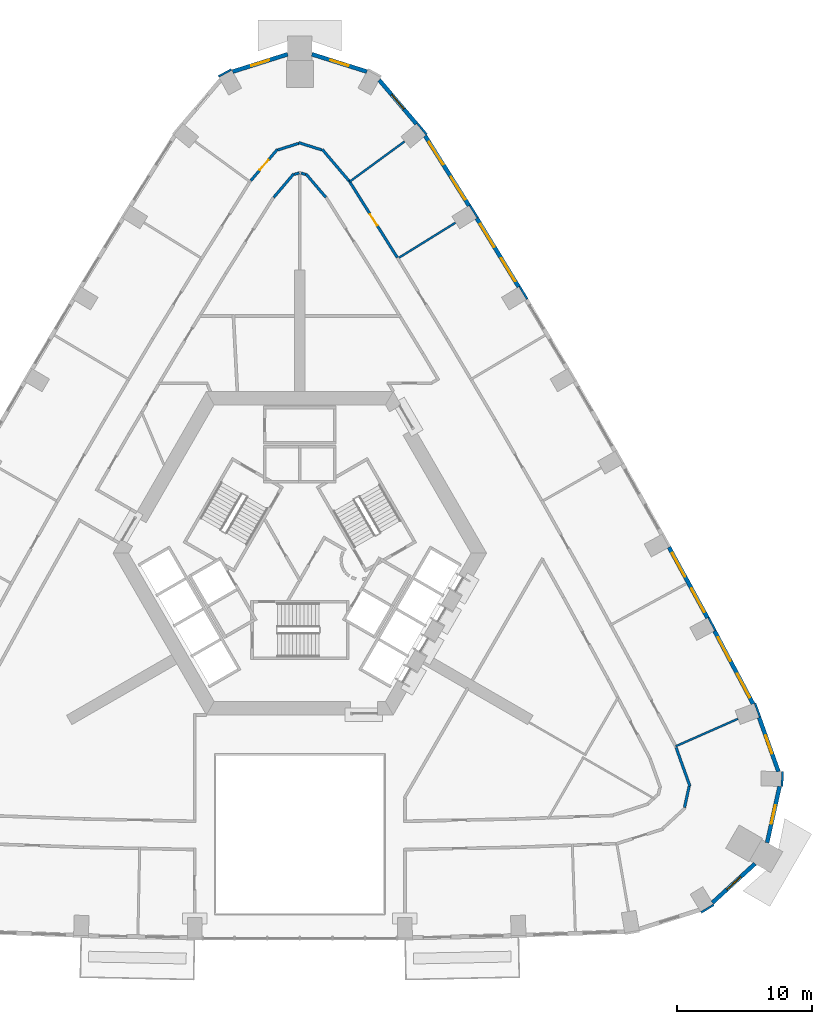
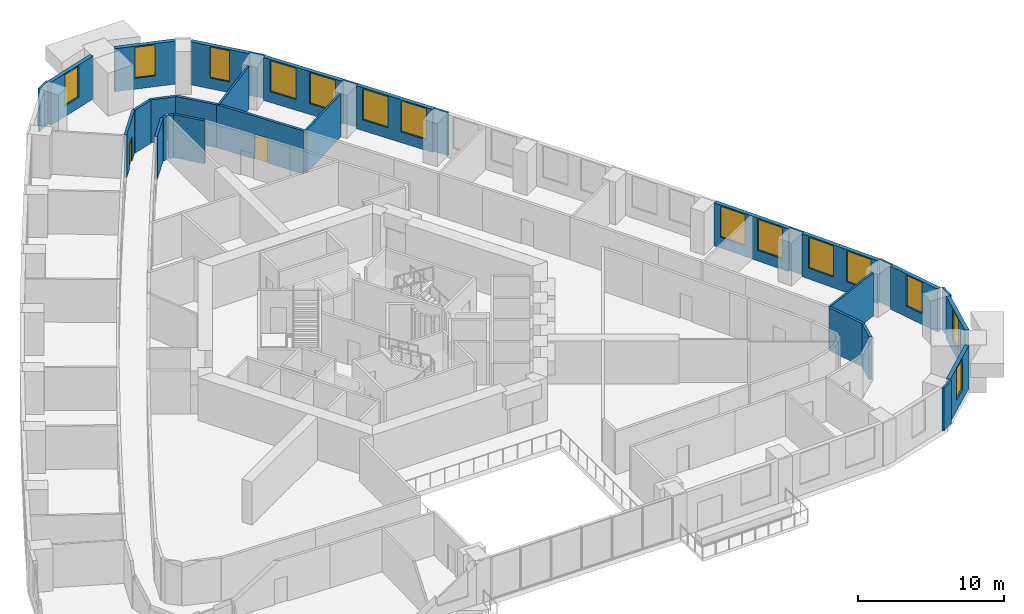
# One storey, part 10 of 14: 32 walls, 14 windows, 2 doors, 16 openings.
"""IFC4 building model written with IfcOpenShell, lengths in metres."""

from ifc_helpers import new_model, si_unit, direction, frame, frame_2d, origin, place, context, subcontext, project, spatial, rectangle, extrude, material, layer, layer_set, type_object, element, fill, save


model = new_model("IFC4")

# Units and contexts
model_context = context("Model", 3, precision=1e-05, world=origin(), true_north=direction((0.0, 1.0)))
body_context = subcontext(model_context, "Body", "Model", "MODEL_VIEW")
ifc_project = project(units=[si_unit("LENGTHUNIT", "METRE"), si_unit("AREAUNIT", "SQUARE_METRE"), si_unit("VOLUMEUNIT", "CUBIC_METRE"), si_unit("PLANEANGLEUNIT", "RADIAN"), si_unit("MASSUNIT", "GRAM", prefix="KILO")], contexts=[model_context])

# Site, building, storey
site_placement = place(None, origin())
site = spatial("IfcSite", under=ifc_project, at=site_placement, CompositionType="ELEMENT")
building_placement = place(site_placement, origin())
building = spatial("IfcBuilding", under=site, at=building_placement, Name="Entoto Arch Interchange Tower", CompositionType="ELEMENT")
storey_placement = place(building_placement, frame((0.0, 0.0, 180.199951171875)))
storey = spatial("IfcBuildingStorey", under=building, at=storey_placement, Name="L40", CompositionType="ELEMENT", Elevation=180.199951171875)

# Walls
ifc_material_1 = material(Name="Gypsum board partition on steel studs", Category="steel")
ifc_layer_1 = layer(ifc_material_1, 0.14990234375)
ifc_layer_set_1 = layer_set([ifc_layer_1], Name="Gypsum board partition on steel studs")
wall_type_1 = type_object("IfcWallType", Name="PARTITION 150", PredefinedType="PARTITIONING", material=ifc_layer_set_1)
wall_1_placement = place(storey_placement, frame((27.8798828125, -11.824951171875, 0.0), z_axis=(0.0, 0.0, 1.0), x_axis=(0.915110098234, 0.403204052696, 0.0)))
element("IfcWall", 1, at=wall_1_placement, inside=storey, type_object=wall_type_1, Name="wall:L40:p114", PredefinedType="PARTITIONING", context=body_context, shape_type="SweptSolid", body=[
    extrude(rectangle(XDim=5.04443359375, YDim=0.14990234375, at=frame_2d((2.522216796875, 0.0))), origin(), (0.0, 0.0, 1.0), 3.60009765625),
])
wall_2_placement = place(storey_placement, frame((7.35791015625, 24.41796875, 0.0), z_axis=(0.0, 0.0, 1.0), x_axis=(0.850136365231, 0.526562589358, 0.0)))
element("IfcWall", 2, at=wall_2_placement, inside=storey, type_object=wall_type_1, Name="wall:L40:p118", PredefinedType="PARTITIONING", context=body_context, shape_type="SweptSolid", body=[
    extrude(rectangle(XDim=4.929931640625, YDim=0.14990234375, at=frame_2d((2.46484375, 0.0))), origin(), (0.0, 0.0, 1.0), 3.60009765625),
])
wall_3_placement = place(storey_placement, frame((3.698974609375, 30.05810546875, 0.0), z_axis=(0.0, 0.0, 1.0), x_axis=(0.806852521394, 0.59075291681, 0.0)))
element("IfcWall", 3, at=wall_3_placement, inside=storey, type_object=wall_type_1, Name="wall:L40:p119", PredefinedType="PARTITIONING", context=body_context, shape_type="SweptSolid", body=[
    extrude(rectangle(XDim=5.04443359375, YDim=0.14990234375, at=frame_2d((2.522216796875, 0.0))), origin(), (0.0, 0.0, 1.0), 3.60009765625),
])
ifc_layer_2 = layer(ifc_material_1, 0.199951171875)
ifc_layer_set_2 = layer_set([ifc_layer_2], Name="Gypsum board partition on steel studs")
wall_type_2 = type_object("IfcWallType", Name="PARTITION 200", PredefinedType="PARTITIONING", material=ifc_layer_set_2)
wall_4_placement = place(storey_placement, frame((1.93603515625, 28.889892578125, 0.0), z_axis=(0.0, 0.0, 1.0), x_axis=(-0.647388540773, 0.762160138866, 0.0)))
element("IfcWall", 4, at=wall_4_placement, inside=storey, type_object=wall_type_2, Name="wall:L40:p014", PredefinedType="PARTITIONING", context=body_context, shape_type="SweptSolid", body=[
    extrude(rectangle(XDim=2.291015625, YDim=0.199951171875, at=frame_2d((1.1455078125, 0.0))), origin(), (0.0, 0.0, 1.0), 3.60009765625),
])
wall_5_placement = place(storey_placement, frame((0.423095703125, 30.590087890625, 0.0), z_axis=(0.0, 0.0, 1.0), x_axis=(-0.954074901128, 0.29956816092, 0.0)))
element("IfcWall", 5, at=wall_5_placement, inside=storey, type_object=wall_type_2, Name="wall:L40:p015", PredefinedType="PARTITIONING", context=body_context, shape_type="SweptSolid", body=[
    extrude(rectangle(XDim=0.343994140625, YDim=0.199951171875, at=frame_2d((0.171875, 0.0))), origin(), (0.0, 0.0, 1.0), 3.60009765625),
])
wall_6_placement = place(storey_placement, frame((-0.048095703125, 30.7080078125, 0.0), z_axis=(0.0, 0.0, 1.0), x_axis=(-0.953948026088, -0.299971937891, 0.0)))
element("IfcWall", 6, at=wall_6_placement, inside=storey, type_object=wall_type_2, Name="wall:L40:p016", PredefinedType="PARTITIONING", context=body_context, shape_type="SweptSolid", body=[
    extrude(rectangle(XDim=0.39306640625, YDim=0.199951171875, at=frame_2d((0.196533203125, 0.0))), origin(), (0.0, 0.0, 1.0), 3.60009765625),
])
wall_7_placement = place(storey_placement, frame((-0.452880859375, 30.635986328125, 0.0), z_axis=(0.0, 0.0, 1.0), x_axis=(-0.647388540773, -0.762160138866, 0.0)))
element("IfcWall", 7, at=wall_7_placement, inside=storey, type_object=wall_type_2, Name="wall:L40:p017", PredefinedType="PARTITIONING", context=body_context, shape_type="SweptSolid", body=[
    extrude(rectangle(XDim=2.291015625, YDim=0.199951171875, at=frame_2d((1.1455078125, 0.0))), origin(), (0.0, 0.0, 1.0), 3.60009765625),
])
wall_8_placement = place(storey_placement, frame((27.9130859375, -11.9189453125, 0.0), z_axis=(0.0, 0.0, 1.0), x_axis=(0.336864004528, -0.941553313654, 0.0)))
element("IfcWall", 8, at=wall_8_placement, inside=storey, type_object=wall_type_2, Name="wall:L40:p045", PredefinedType="PARTITIONING", context=body_context, shape_type="SweptSolid", body=[
    extrude(rectangle(XDim=3.04833984375, YDim=0.199951171875, at=frame_2d((1.524169921875, 0.0))), origin(), (0.0, 0.0, 1.0), 3.60009765625),
])
wall_9_placement = place(storey_placement, frame((28.884033203125, -14.79296875, 0.0), z_axis=(0.0, 0.0, 1.0), x_axis=(-0.216223984898, -0.976343785946, 0.0)))
element("IfcWall", 9, at=wall_9_placement, inside=storey, type_object=wall_type_2, Name="wall:L40:p046", PredefinedType="PARTITIONING", context=body_context, shape_type="SweptSolid", body=[
    extrude(rectangle(XDim=1.610107421875, YDim=0.199951171875, at=frame_2d((0.80517578125, 0.0))), origin(), (0.0, 0.0, 1.0), 3.60009765625),
])

# Wall, opening, door
wall_10_placement = place(storey_placement, frame((3.64599609375, 30.14208984375, 0.0), z_axis=(0.0, 0.0, 1.0), x_axis=(0.531621424046, -0.846982090422, 0.0)))
wall_10 = element("IfcWall", 10, at=wall_10_placement, inside=storey, type_object=wall_type_2, Name="wall:L40:p057", PredefinedType="PARTITIONING", context=body_context, shape_type="SweptSolid", body=[
    extrude(rectangle(XDim=6.745361328125, YDim=0.199951171875, at=frame_2d((3.37255859375, 0.0))), origin(), (0.0, 0.0, 1.0), 3.60009765625),
])
opening_1_placement = place(wall_10_placement, frame((2.947998046875, 0.0, 0.0)))
opening_1 = element("IfcOpeningElement", 11, at=opening_1_placement, cuts=wall_10, Name="Opening L40-D08", PredefinedType="OPENING", context=body_context, shape_type="SweptSolid", body=[
    extrude(rectangle(XDim=1.0, YDim=2.10009765625, at=frame_2d((0.5, 1.050048828125))), frame((0.0, 0.10986328125, 0.0), z_axis=(0.0, -1.0, 0.0), x_axis=(1.0, 0.0, 0.0)), (0.0, 0.0, 1.0), 0.219970703125),
])
ifc_material_2 = material(Name="Timber door leaf in Steel S235 frame", Category="steel")
door_type = type_object("IfcDoorType", Name="DOOR DS-10 1000x2100", OperationType="SINGLE_SWING_LEFT", PredefinedType="DOOR", material=ifc_material_2)
door_1_placement = place(opening_1_placement, origin())
door_1 = element("IfcDoor", 12, at=door_1_placement, inside=storey, type_object=door_type, Name="door:L40:08", OperationType="SINGLE_SWING_LEFT", OverallHeight=2.10009765625, OverallWidth=1.0, PredefinedType="DOOR", context=body_context, shape_type="SweptSolid", body=[
    extrude(rectangle(XDim=1.0, YDim=2.10009765625, at=frame_2d((0.5, 1.050048828125))), frame((0.0, 0.02490234375, 0.0), z_axis=(0.0, -1.0, 0.0), x_axis=(1.0, 0.0, 0.0)), (0.0, 0.0, 1.0), 0.050048828125),
])
fill(opening_1, door_1)

wall_11_placement = place(storey_placement, frame((-3.634033203125, 30.134033203125, 0.0), z_axis=(0.0, 0.0, 1.0), x_axis=(0.647148242723, 0.762364185899, 0.0)))
wall_11 = element("IfcWall", 13, at=wall_11_placement, inside=storey, type_object=wall_type_2, Name="wall:L40:p058", PredefinedType="PARTITIONING", context=body_context, shape_type="SweptSolid", body=[
    extrude(rectangle(XDim=3.047119140625, YDim=0.199951171875, at=frame_2d((1.5234375, 0.0))), origin(), (0.0, 0.0, 1.0), 3.60009765625),
])
opening_2_placement = place(wall_11_placement, frame((1.02392578125, 0.0, 0.0)))
opening_2 = element("IfcOpeningElement", 14, at=opening_2_placement, cuts=wall_11, Name="Opening L40-D09", PredefinedType="OPENING", context=body_context, shape_type="SweptSolid", body=[
    extrude(rectangle(XDim=1.0, YDim=2.10009765625, at=frame_2d((0.5, 1.050048828125))), frame((0.0, 0.10986328125, 0.0), z_axis=(0.0, -1.0, 0.0), x_axis=(1.0, 0.0, 0.0)), (0.0, 0.0, 1.0), 0.219970703125),
])
door_2_placement = place(opening_2_placement, origin())
door_2 = element("IfcDoor", 15, at=door_2_placement, inside=storey, type_object=door_type, Name="door:L40:09", OperationType="SINGLE_SWING_LEFT", OverallHeight=2.10009765625, OverallWidth=1.0, PredefinedType="DOOR", context=body_context, shape_type="SweptSolid", body=[
    extrude(rectangle(XDim=1.0, YDim=2.10009765625, at=frame_2d((0.5, 1.050048828125))), frame((0.0, 0.02490234375, 0.0), z_axis=(0.0, -1.0, 0.0), x_axis=(1.0, 0.0, 0.0)), (0.0, 0.0, 1.0), 0.050048828125),
])
fill(opening_2, door_2)

# Walls
wall_12_placement = place(storey_placement, frame((-1.632080078125, 32.410888671875, 0.0), z_axis=(0.0, 0.0, 1.0), x_axis=(0.953809064266, 0.300413496575, 0.0)))
element("IfcWall", 16, at=wall_12_placement, inside=storey, type_object=wall_type_2, Name="wall:L40:p059", PredefinedType="PARTITIONING", context=body_context, shape_type="SweptSolid", body=[
    extrude(rectangle(XDim=1.611572265625, YDim=0.199951171875, at=frame_2d((0.8056640625, 0.0))), origin(), (0.0, 0.0, 1.0), 3.60009765625),
])
wall_13_placement = place(storey_placement, frame((-0.094970703125, 32.9560546875, 0.0), z_axis=(0.0, 0.0, 1.0), x_axis=(0.953617294109, -0.301021687552, 0.0)))
element("IfcWall", 17, at=wall_13_placement, inside=storey, type_object=wall_type_2, Name="wall:L40:p060", PredefinedType="PARTITIONING", context=body_context, shape_type="SweptSolid", body=[
    extrude(rectangle(XDim=1.81103515625, YDim=0.199951171875, at=frame_2d((0.905517578125, 0.0))), origin(), (0.0, 0.0, 1.0), 3.60009765625),
])
wall_14_placement = place(storey_placement, frame((1.662109375, 32.45703125, 0.0), z_axis=(0.0, 0.0, 1.0), x_axis=(0.647148242723, -0.762364185899, 0.0)))
element("IfcWall", 18, at=wall_14_placement, inside=storey, type_object=wall_type_2, Name="wall:L40:p061", PredefinedType="PARTITIONING", context=body_context, shape_type="SweptSolid", body=[
    extrude(rectangle(XDim=3.047119140625, YDim=0.199951171875, at=frame_2d((1.5234375, 0.0))), origin(), (0.0, 0.0, 1.0), 3.60009765625),
])

# Wall, opening, window
ifc_material_3 = material(Name="Welded tuff (ignimbrite) cladding, warm buff", Category="masonry")
ifc_layer_3 = layer(ifc_material_3, 0.300048828125)
ifc_layer_set_3 = layer_set([ifc_layer_3], Name="Welded tuff (ignimbrite) cladding, warm buff")
wall_type_3 = type_object("IfcWallType", Name="STONE INFILL WALL 300", PredefinedType="STANDARD", material=ifc_layer_set_3)
wall_15_placement = place(storey_placement, frame((30.614013671875, -23.423095703125, 0.0), z_axis=(0.0, 0.0, 1.0), x_axis=(0.737279680174, 0.675587650274, 0.0)))
wall_15 = element("IfcWall", 19, at=wall_15_placement, inside=storey, type_object=wall_type_3, Name="Facade wall SE-02 L40", PredefinedType="STANDARD", context=body_context, shape_type="SweptSolid", body=[
    extrude(rectangle(XDim=4.278076171875, YDim=0.300048828125, at=frame_2d((2.13916015625, 0.0))), origin(), (0.0, 0.0, 1.0), 3.60009765625),
])
opening_3_placement = place(wall_15_placement, frame((1.43896484375, 0.0, 0.89990234375)))
opening_3 = element("IfcOpeningElement", 20, at=opening_3_placement, cuts=wall_15, Name="Opening WO-B", PredefinedType="OPENING", context=body_context, shape_type="SweptSolid", body=[
    extrude(rectangle(XDim=1.39990234375, YDim=2.60009765625, at=frame_2d((0.699951171875, 1.300048828125))), frame((0.0, 0.16015625, 0.0), z_axis=(0.0, -1.0, 0.0), x_axis=(1.0, 0.0, 0.0)), (0.0, 0.0, 1.0), 0.320068359375),
])
ifc_material_4 = material(Name="Clear glass, low-e double glazed", Category="glass")
window_type_1 = type_object("IfcWindowType", Name="WINDOW WO-B 1400x2600", PartitioningType="DOUBLE_PANEL_VERTICAL", PredefinedType="WINDOW", material=ifc_material_4)
window_1_placement = place(opening_3_placement, origin())
window_1 = element("IfcWindow", 21, at=window_1_placement, inside=storey, type_object=window_type_1, Name="Window WO-B SE-02 L40", OverallHeight=2.60009765625, OverallWidth=1.39990234375, PartitioningType="SINGLE_PANEL", PredefinedType="WINDOW", context=body_context, shape_type="SweptSolid", body=[
    extrude(rectangle(XDim=1.39990234375, YDim=2.60009765625, at=frame_2d((0.699951171875, 1.300048828125))), frame((0.0, 0.030029296875, 0.0), z_axis=(0.0, -1.0, 0.0), x_axis=(1.0, 0.0, 0.0)), (0.0, 0.0, 1.0), 0.06005859375),
])
fill(opening_3, window_1)

wall_16_placement = place(storey_placement, frame((34.6669921875, -18.97607421875, 0.0), z_axis=(0.0, 0.0, 1.0), x_axis=(0.216102175589, 0.976370754225, 0.0)))
wall_16 = element("IfcWall", 22, at=wall_16_placement, inside=storey, type_object=wall_type_3, Name="Facade wall SE-03 L40", PredefinedType="STANDARD", context=body_context, shape_type="SweptSolid", body=[
    extrude(rectangle(XDim=4.276123046875, YDim=0.300048828125, at=frame_2d((2.13818359375, 0.0))), origin(), (0.0, 0.0, 1.0), 3.60009765625),
])
opening_4_placement = place(wall_16_placement, frame((1.43798828125, 0.0, 0.89990234375)))
opening_4 = element("IfcOpeningElement", 23, at=opening_4_placement, cuts=wall_16, Name="Opening WO-B", PredefinedType="OPENING", context=body_context, shape_type="SweptSolid", body=[
    extrude(rectangle(XDim=1.39990234375, YDim=2.60009765625, at=frame_2d((0.699951171875, 1.300048828125))), frame((0.0, 0.16015625, 0.0), z_axis=(0.0, -1.0, 0.0), x_axis=(1.0, 0.0, 0.0)), (0.0, 0.0, 1.0), 0.320068359375),
])
window_2_placement = place(opening_4_placement, origin())
window_2 = element("IfcWindow", 24, at=window_2_placement, inside=storey, type_object=window_type_1, Name="Window WO-B SE-03 L40", OverallHeight=2.60009765625, OverallWidth=1.39990234375, PartitioningType="SINGLE_PANEL", PredefinedType="WINDOW", context=body_context, shape_type="SweptSolid", body=[
    extrude(rectangle(XDim=1.39990234375, YDim=2.60009765625, at=frame_2d((0.699951171875, 1.300048828125))), frame((0.0, 0.030029296875, 0.0), z_axis=(0.0, -1.0, 0.0), x_axis=(1.0, 0.0, 0.0)), (0.0, 0.0, 1.0), 0.06005859375),
])
fill(opening_4, window_2)

wall_17_placement = place(storey_placement, frame((35.506103515625, -13.699951171875, 0.0), z_axis=(0.0, 0.0, 1.0), x_axis=(-0.336652028742, 0.941629126325, 0.0)))
wall_17 = element("IfcWall", 25, at=wall_17_placement, inside=storey, type_object=wall_type_3, Name="Facade wall SE-04 L40", PredefinedType="STANDARD", context=body_context, shape_type="SweptSolid", body=[
    extrude(rectangle(XDim=4.2626953125, YDim=0.300048828125, at=frame_2d((2.13134765625, 0.0))), origin(), (0.0, 0.0, 1.0), 3.60009765625),
])
opening_5_placement = place(wall_17_placement, frame((1.430908203125, 0.0, 0.89990234375)))
opening_5 = element("IfcOpeningElement", 26, at=opening_5_placement, cuts=wall_17, Name="Opening WO-B", PredefinedType="OPENING", context=body_context, shape_type="SweptSolid", body=[
    extrude(rectangle(XDim=1.39990234375, YDim=2.60009765625, at=frame_2d((0.699951171875, 1.300048828125))), frame((0.0, 0.16015625, 0.0), z_axis=(0.0, -1.0, 0.0), x_axis=(1.0, 0.0, 0.0)), (0.0, 0.0, 1.0), 0.320068359375),
])
window_3_placement = place(opening_5_placement, origin())
window_3 = element("IfcWindow", 27, at=window_3_placement, inside=storey, type_object=window_type_1, Name="Window WO-B SE-04 L40", OverallHeight=2.60009765625, OverallWidth=1.39990234375, PartitioningType="SINGLE_PANEL", PredefinedType="WINDOW", context=body_context, shape_type="SweptSolid", body=[
    extrude(rectangle(XDim=1.39990234375, YDim=2.60009765625, at=frame_2d((0.699951171875, 1.300048828125))), frame((0.0, 0.030029296875, 0.0), z_axis=(0.0, -1.0, 0.0), x_axis=(1.0, 0.0, 0.0)), (0.0, 0.0, 1.0), 0.06005859375),
])
fill(opening_5, window_3)

# Wall, openings, windows
wall_18_placement = place(storey_placement, frame((33.6259765625, -8.679931640625, 0.0), z_axis=(0.0, 0.0, 1.0), x_axis=(-0.467572383403, 0.883954787463, 0.0)))
wall_18 = element("IfcWall", 28, at=wall_18_placement, inside=storey, type_object=wall_type_3, Name="Facade wall NE-01 L40", PredefinedType="STANDARD", context=body_context, shape_type="SweptSolid", body=[
    extrude(rectangle(XDim=6.118896484375, YDim=0.300048828125, at=frame_2d((3.0595703125, 0.0))), origin(), (0.0, 0.0, 1.0), 3.60009765625),
])
opening_6_placement = place(wall_18_placement, frame((0.530029296875, 0.0, 0.89990234375)))
opening_6 = element("IfcOpeningElement", 29, at=opening_6_placement, cuts=wall_18, Name="Opening WO-C", PredefinedType="OPENING", context=body_context, shape_type="SweptSolid", body=[
    extrude(rectangle(XDim=2.0, YDim=2.60009765625, at=frame_2d((1.0, 1.300048828125))), frame((0.0, 0.16015625, 0.0), z_axis=(0.0, -1.0, 0.0), x_axis=(1.0, 0.0, 0.0)), (0.0, 0.0, 1.0), 0.320068359375),
])
opening_7_placement = place(wall_18_placement, frame((3.589111328125, 0.0, 0.89990234375)))
opening_7 = element("IfcOpeningElement", 30, at=opening_7_placement, cuts=wall_18, Name="Opening WO-C", PredefinedType="OPENING", context=body_context, shape_type="SweptSolid", body=[
    extrude(rectangle(XDim=2.0, YDim=2.60009765625, at=frame_2d((1.0, 1.300048828125))), frame((0.0, 0.16015625, 0.0), z_axis=(0.0, -1.0, 0.0), x_axis=(1.0, 0.0, 0.0)), (0.0, 0.0, 1.0), 0.320068359375),
])
window_type_2 = type_object("IfcWindowType", Name="WINDOW WO-C 2000x2600", PartitioningType="DOUBLE_PANEL_VERTICAL", PredefinedType="WINDOW", material=ifc_material_4)
window_4_placement = place(opening_6_placement, origin())
window_4 = element("IfcWindow", 31, at=window_4_placement, inside=storey, type_object=window_type_2, Name="Window WO-C NE-01 L40", OverallHeight=2.60009765625, OverallWidth=2.0, PartitioningType="SINGLE_PANEL", PredefinedType="WINDOW", context=body_context, shape_type="SweptSolid", body=[
    extrude(rectangle(XDim=2.0, YDim=2.60009765625, at=frame_2d((1.0, 1.300048828125))), frame((0.0, 0.030029296875, 0.0), z_axis=(0.0, -1.0, 0.0), x_axis=(1.0, 0.0, 0.0)), (0.0, 0.0, 1.0), 0.06005859375),
])
fill(opening_6, window_4)
window_5_placement = place(opening_7_placement, origin())
window_5 = element("IfcWindow", 32, at=window_5_placement, inside=storey, type_object=window_type_2, Name="Window WO-C NE-01 L40", OverallHeight=2.60009765625, OverallWidth=2.0, PartitioningType="SINGLE_PANEL", PredefinedType="WINDOW", context=body_context, shape_type="SweptSolid", body=[
    extrude(rectangle(XDim=2.0, YDim=2.60009765625, at=frame_2d((1.0, 1.300048828125))), frame((0.0, 0.030029296875, 0.0), z_axis=(0.0, -1.0, 0.0), x_axis=(1.0, 0.0, 0.0)), (0.0, 0.0, 1.0), 0.06005859375),
])
fill(opening_7, window_5)

wall_19_placement = place(storey_placement, frame((30.24609375, -2.302978515625, 0.0), z_axis=(0.0, 0.0, 1.0), x_axis=(-0.478711740571, 0.877972134774, 0.0)))
wall_19 = element("IfcWall", 33, at=wall_19_placement, inside=storey, type_object=wall_type_3, Name="Facade wall NE-02 L40", PredefinedType="STANDARD", context=body_context, shape_type="SweptSolid", body=[
    extrude(rectangle(XDim=5.970458984375, YDim=0.300048828125, at=frame_2d((2.9853515625, 0.0))), origin(), (0.0, 0.0, 1.0), 3.60009765625),
])
opening_8_placement = place(wall_19_placement, frame((0.492919921875, 0.0, 0.89990234375)))
opening_8 = element("IfcOpeningElement", 34, at=opening_8_placement, cuts=wall_19, Name="Opening WO-C", PredefinedType="OPENING", context=body_context, shape_type="SweptSolid", body=[
    extrude(rectangle(XDim=2.0, YDim=2.60009765625, at=frame_2d((1.0, 1.300048828125))), frame((0.0, 0.16015625, 0.0), z_axis=(0.0, -1.0, 0.0), x_axis=(1.0, 0.0, 0.0)), (0.0, 0.0, 1.0), 0.320068359375),
])
opening_9_placement = place(wall_19_placement, frame((3.47802734375, 0.0, 0.89990234375)))
opening_9 = element("IfcOpeningElement", 35, at=opening_9_placement, cuts=wall_19, Name="Opening WO-C", PredefinedType="OPENING", context=body_context, shape_type="SweptSolid", body=[
    extrude(rectangle(XDim=2.0, YDim=2.60009765625, at=frame_2d((1.0, 1.300048828125))), frame((0.0, 0.16015625, 0.0), z_axis=(0.0, -1.0, 0.0), x_axis=(1.0, 0.0, 0.0)), (0.0, 0.0, 1.0), 0.320068359375),
])
window_6_placement = place(opening_8_placement, origin())
window_6 = element("IfcWindow", 36, at=window_6_placement, inside=storey, type_object=window_type_2, Name="Window WO-C NE-02 L40", OverallHeight=2.60009765625, OverallWidth=2.0, PartitioningType="SINGLE_PANEL", PredefinedType="WINDOW", context=body_context, shape_type="SweptSolid", body=[
    extrude(rectangle(XDim=2.0, YDim=2.60009765625, at=frame_2d((1.0, 1.300048828125))), frame((0.0, 0.030029296875, 0.0), z_axis=(0.0, -1.0, 0.0), x_axis=(1.0, 0.0, 0.0)), (0.0, 0.0, 1.0), 0.06005859375),
])
fill(opening_8, window_6)
window_7_placement = place(opening_9_placement, origin())
window_7 = element("IfcWindow", 37, at=window_7_placement, inside=storey, type_object=window_type_2, Name="Window WO-C NE-02 L40", OverallHeight=2.60009765625, OverallWidth=2.0, PartitioningType="SINGLE_PANEL", PredefinedType="WINDOW", context=body_context, shape_type="SweptSolid", body=[
    extrude(rectangle(XDim=2.0, YDim=2.60009765625, at=frame_2d((1.0, 1.300048828125))), frame((0.0, 0.030029296875, 0.0), z_axis=(0.0, -1.0, 0.0), x_axis=(1.0, 0.0, 0.0)), (0.0, 0.0, 1.0), 0.06005859375),
])
fill(opening_9, window_7)

wall_20_placement = place(storey_placement, frame((16.239990234375, 22.25, 0.0), z_axis=(0.0, 0.0, 1.0), x_axis=(-0.521263083766, 0.8533960379, 0.0)))
wall_20 = element("IfcWall", 38, at=wall_20_placement, inside=storey, type_object=wall_type_3, Name="Facade wall NE-06 L40", PredefinedType="STANDARD", context=body_context, shape_type="SweptSolid", body=[
    extrude(rectangle(XDim=5.97021484375, YDim=0.300048828125, at=frame_2d((2.985107421875, 0.0))), origin(), (0.0, 0.0, 1.0), 3.60009765625),
])
opening_10_placement = place(wall_20_placement, frame((0.492919921875, 0.0, 0.89990234375)))
opening_10 = element("IfcOpeningElement", 39, at=opening_10_placement, cuts=wall_20, Name="Opening WO-C", PredefinedType="OPENING", context=body_context, shape_type="SweptSolid", body=[
    extrude(rectangle(XDim=2.0, YDim=2.60009765625, at=frame_2d((1.0, 1.300048828125))), frame((0.0, 0.16015625, 0.0), z_axis=(0.0, -1.0, 0.0), x_axis=(1.0, 0.0, 0.0)), (0.0, 0.0, 1.0), 0.320068359375),
])
opening_11_placement = place(wall_20_placement, frame((3.47802734375, 0.0, 0.89990234375)))
opening_11 = element("IfcOpeningElement", 40, at=opening_11_placement, cuts=wall_20, Name="Opening WO-C", PredefinedType="OPENING", context=body_context, shape_type="SweptSolid", body=[
    extrude(rectangle(XDim=2.0, YDim=2.60009765625, at=frame_2d((1.0, 1.300048828125))), frame((0.0, 0.16015625, 0.0), z_axis=(0.0, -1.0, 0.0), x_axis=(1.0, 0.0, 0.0)), (0.0, 0.0, 1.0), 0.320068359375),
])
window_8_placement = place(opening_10_placement, origin())
window_8 = element("IfcWindow", 41, at=window_8_placement, inside=storey, type_object=window_type_2, Name="Window WO-C NE-06 L40", OverallHeight=2.60009765625, OverallWidth=2.0, PartitioningType="SINGLE_PANEL", PredefinedType="WINDOW", context=body_context, shape_type="SweptSolid", body=[
    extrude(rectangle(XDim=2.0, YDim=2.60009765625, at=frame_2d((1.0, 1.300048828125))), frame((0.0, 0.030029296875, 0.0), z_axis=(0.0, -1.0, 0.0), x_axis=(1.0, 0.0, 0.0)), (0.0, 0.0, 1.0), 0.06005859375),
])
fill(opening_10, window_8)
window_9_placement = place(opening_11_placement, origin())
window_9 = element("IfcWindow", 42, at=window_9_placement, inside=storey, type_object=window_type_2, Name="Window WO-C NE-06 L40", OverallHeight=2.60009765625, OverallWidth=2.0, PartitioningType="SINGLE_PANEL", PredefinedType="WINDOW", context=body_context, shape_type="SweptSolid", body=[
    extrude(rectangle(XDim=2.0, YDim=2.60009765625, at=frame_2d((1.0, 1.300048828125))), frame((0.0, 0.030029296875, 0.0), z_axis=(0.0, -1.0, 0.0), x_axis=(1.0, 0.0, 0.0)), (0.0, 0.0, 1.0), 0.06005859375),
])
fill(opening_11, window_9)

wall_21_placement = place(storey_placement, frame((12.550048828125, 28.279052734375, 0.0), z_axis=(0.0, 0.0, 1.0), x_axis=(-0.531816047834, 0.846859900613, 0.0)))
wall_21 = element("IfcWall", 43, at=wall_21_placement, inside=storey, type_object=wall_type_3, Name="Facade wall NE-07 L40", PredefinedType="STANDARD", context=body_context, shape_type="SweptSolid", body=[
    extrude(rectangle(XDim=6.118896484375, YDim=0.300048828125, at=frame_2d((3.0595703125, 0.0))), origin(), (0.0, 0.0, 1.0), 3.60009765625),
])
opening_12_placement = place(wall_21_placement, frame((0.530029296875, 0.0, 0.89990234375)))
opening_12 = element("IfcOpeningElement", 44, at=opening_12_placement, cuts=wall_21, Name="Opening WO-C", PredefinedType="OPENING", context=body_context, shape_type="SweptSolid", body=[
    extrude(rectangle(XDim=2.0, YDim=2.60009765625, at=frame_2d((1.0, 1.300048828125))), frame((0.0, 0.16015625, 0.0), z_axis=(0.0, -1.0, 0.0), x_axis=(1.0, 0.0, 0.0)), (0.0, 0.0, 1.0), 0.320068359375),
])
opening_13_placement = place(wall_21_placement, frame((3.589111328125, 0.0, 0.89990234375)))
opening_13 = element("IfcOpeningElement", 45, at=opening_13_placement, cuts=wall_21, Name="Opening WO-C", PredefinedType="OPENING", context=body_context, shape_type="SweptSolid", body=[
    extrude(rectangle(XDim=2.0, YDim=2.60009765625, at=frame_2d((1.0, 1.300048828125))), frame((0.0, 0.16015625, 0.0), z_axis=(0.0, -1.0, 0.0), x_axis=(1.0, 0.0, 0.0)), (0.0, 0.0, 1.0), 0.320068359375),
])
window_10_placement = place(opening_12_placement, origin())
window_10 = element("IfcWindow", 46, at=window_10_placement, inside=storey, type_object=window_type_2, Name="Window WO-C NE-07 L40", OverallHeight=2.60009765625, OverallWidth=2.0, PartitioningType="SINGLE_PANEL", PredefinedType="WINDOW", context=body_context, shape_type="SweptSolid", body=[
    extrude(rectangle(XDim=2.0, YDim=2.60009765625, at=frame_2d((1.0, 1.300048828125))), frame((0.0, 0.030029296875, 0.0), z_axis=(0.0, -1.0, 0.0), x_axis=(1.0, 0.0, 0.0)), (0.0, 0.0, 1.0), 0.06005859375),
])
fill(opening_12, window_10)
window_11_placement = place(opening_13_placement, origin())
window_11 = element("IfcWindow", 47, at=window_11_placement, inside=storey, type_object=window_type_2, Name="Window WO-C NE-07 L40", OverallHeight=2.60009765625, OverallWidth=2.0, PartitioningType="SINGLE_PANEL", PredefinedType="WINDOW", context=body_context, shape_type="SweptSolid", body=[
    extrude(rectangle(XDim=2.0, YDim=2.60009765625, at=frame_2d((1.0, 1.300048828125))), frame((0.0, 0.030029296875, 0.0), z_axis=(0.0, -1.0, 0.0), x_axis=(1.0, 0.0, 0.0)), (0.0, 0.0, 1.0), 0.06005859375),
])
fill(opening_13, window_11)

# Wall, opening, window
wall_22_placement = place(storey_placement, frame((8.64697265625, 34.35009765625, 0.0), z_axis=(0.0, 0.0, 1.0), x_axis=(-0.647156077277, 0.76235753531, 0.0)))
wall_22 = element("IfcWall", 48, at=wall_22_placement, inside=storey, type_object=wall_type_3, Name="Facade wall N-01 L40", PredefinedType="STANDARD", context=body_context, shape_type="SweptSolid", body=[
    extrude(rectangle(XDim=4.26171875, YDim=0.300048828125, at=frame_2d((2.130859375, 0.0))), origin(), (0.0, 0.0, 1.0), 3.60009765625),
])
opening_14_placement = place(wall_22_placement, frame((1.430908203125, 0.0, 0.89990234375)))
opening_14 = element("IfcOpeningElement", 49, at=opening_14_placement, cuts=wall_22, Name="Opening WO-B", PredefinedType="OPENING", context=body_context, shape_type="SweptSolid", body=[
    extrude(rectangle(XDim=1.39990234375, YDim=2.60009765625, at=frame_2d((0.699951171875, 1.300048828125))), frame((0.0, 0.16015625, 0.0), z_axis=(0.0, -1.0, 0.0), x_axis=(1.0, 0.0, 0.0)), (0.0, 0.0, 1.0), 0.320068359375),
])
window_12_placement = place(opening_14_placement, origin())
window_12 = element("IfcWindow", 50, at=window_12_placement, inside=storey, type_object=window_type_1, Name="Window WO-B N-01 L40", OverallHeight=2.60009765625, OverallWidth=1.39990234375, PartitioningType="SINGLE_PANEL", PredefinedType="WINDOW", context=body_context, shape_type="SweptSolid", body=[
    extrude(rectangle(XDim=1.39990234375, YDim=2.60009765625, at=frame_2d((0.699951171875, 1.300048828125))), frame((0.0, 0.030029296875, 0.0), z_axis=(0.0, -1.0, 0.0), x_axis=(1.0, 0.0, 0.0)), (0.0, 0.0, 1.0), 0.06005859375),
])
fill(opening_14, window_12)

wall_23_placement = place(storey_placement, frame((4.97802734375, 38.222900390625, 0.0), z_axis=(0.0, 0.0, 1.0), x_axis=(-0.953651650729, 0.300912826349, 0.0)))
wall_23 = element("IfcWall", 51, at=wall_23_placement, inside=storey, type_object=wall_type_3, Name="Facade wall N-02 L40", PredefinedType="STANDARD", context=body_context, shape_type="SweptSolid", body=[
    extrude(rectangle(XDim=4.27734375, YDim=0.300048828125, at=frame_2d((2.138671875, 0.0))), origin(), (0.0, 0.0, 1.0), 3.60009765625),
])
opening_15_placement = place(wall_23_placement, frame((1.43896484375, 0.0, 0.89990234375)))
opening_15 = element("IfcOpeningElement", 52, at=opening_15_placement, cuts=wall_23, Name="Opening WO-B", PredefinedType="OPENING", context=body_context, shape_type="SweptSolid", body=[
    extrude(rectangle(XDim=1.39990234375, YDim=2.60009765625, at=frame_2d((0.699951171875, 1.300048828125))), frame((0.0, 0.16015625, 0.0), z_axis=(0.0, -1.0, 0.0), x_axis=(1.0, 0.0, 0.0)), (0.0, 0.0, 1.0), 0.320068359375),
])
window_13_placement = place(opening_15_placement, origin())
window_13 = element("IfcWindow", 53, at=window_13_placement, inside=storey, type_object=window_type_1, Name="Window WO-B N-02 L40", OverallHeight=2.60009765625, OverallWidth=1.39990234375, PartitioningType="SINGLE_PANEL", PredefinedType="WINDOW", context=body_context, shape_type="SweptSolid", body=[
    extrude(rectangle(XDim=1.39990234375, YDim=2.60009765625, at=frame_2d((0.699951171875, 1.300048828125))), frame((0.0, 0.030029296875, 0.0), z_axis=(0.0, -1.0, 0.0), x_axis=(1.0, 0.0, 0.0)), (0.0, 0.0, 1.0), 0.06005859375),
])
fill(opening_15, window_13)

wall_24_placement = place(storey_placement, frame((-0.89892578125, 39.510009765625, 0.0), z_axis=(0.0, 0.0, 1.0), x_axis=(-0.953651650729, -0.300912826349, 0.0)))
wall_24 = element("IfcWall", 54, at=wall_24_placement, inside=storey, type_object=wall_type_3, Name="Facade wall N-03 L40", PredefinedType="STANDARD", context=body_context, shape_type="SweptSolid", body=[
    extrude(rectangle(XDim=4.27734375, YDim=0.300048828125, at=frame_2d((2.138671875, 0.0))), origin(), (0.0, 0.0, 1.0), 3.60009765625),
])
opening_16_placement = place(wall_24_placement, frame((1.43896484375, 0.0, 0.89990234375)))
opening_16 = element("IfcOpeningElement", 55, at=opening_16_placement, cuts=wall_24, Name="Opening WO-B", PredefinedType="OPENING", context=body_context, shape_type="SweptSolid", body=[
    extrude(rectangle(XDim=1.39990234375, YDim=2.60009765625, at=frame_2d((0.699951171875, 1.300048828125))), frame((0.0, 0.16015625, 0.0), z_axis=(0.0, -1.0, 0.0), x_axis=(1.0, 0.0, 0.0)), (0.0, 0.0, 1.0), 0.320068359375),
])
window_14_placement = place(opening_16_placement, origin())
window_14 = element("IfcWindow", 56, at=window_14_placement, inside=storey, type_object=window_type_1, Name="Window WO-B N-03 L40", OverallHeight=2.60009765625, OverallWidth=1.39990234375, PartitioningType="SINGLE_PANEL", PredefinedType="WINDOW", context=body_context, shape_type="SweptSolid", body=[
    extrude(rectangle(XDim=1.39990234375, YDim=2.60009765625, at=frame_2d((0.699951171875, 1.300048828125))), frame((0.0, 0.030029296875, 0.0), z_axis=(0.0, -1.0, 0.0), x_axis=(1.0, 0.0, 0.0)), (0.0, 0.0, 1.0), 0.06005859375),
])
fill(opening_16, window_14)

# Walls
ifc_layer_4 = layer(ifc_material_3, 0.14990234375)
ifc_layer_set_4 = layer_set([ifc_layer_4], Name="Welded tuff (ignimbrite) cladding, warm buff")
wall_type_4 = type_object("IfcWallType", Name="STONE PIER CLADDING 150", PredefinedType="STANDARD", material=ifc_layer_set_4)
wall_25_placement = place(storey_placement, frame((-5.06591796875, 38.386962890625, 0.0), z_axis=(0.0, 0.0, 1.0), x_axis=(-0.877929486755, -0.478789950068, 0.0)))
element("IfcWall", 57, at=wall_25_placement, inside=storey, type_object=wall_type_4, Name="Stone pier N3 L40", PredefinedType="STANDARD", context=body_context, shape_type="SweptSolid", body=[
    extrude(rectangle(XDim=1.100341796875, YDim=0.14990234375, at=frame_2d((0.55029296875, 0.0))), origin(), (0.0, 0.0, 1.0), 3.60009765625),
])
wall_26_placement = place(storey_placement, frame((34.14697265625, -9.658935546875, 0.0), z_axis=(0.0, 0.0, 1.0), x_axis=(-0.346229846278, 0.938149718087, 0.0)))
element("IfcWall", 58, at=wall_26_placement, inside=storey, type_object=wall_type_4, Name="Stone pier NE01 L40", PredefinedType="STANDARD", context=body_context, shape_type="SweptSolid", body=[
    extrude(rectangle(XDim=1.10009765625, YDim=0.14990234375, at=frame_2d((0.550048828125, 0.0))), origin(), (0.0, 0.0, 1.0), 3.60009765625),
])
wall_27_placement = place(storey_placement, frame((30.8330078125, -3.236083984375, 0.0), z_axis=(0.0, 0.0, 1.0), x_axis=(-0.469966207956, 0.882684407577, 0.0)))
element("IfcWall", 59, at=wall_27_placement, inside=storey, type_object=wall_type_4, Name="Stone pier NE02 L40", PredefinedType="STANDARD", context=body_context, shape_type="SweptSolid", body=[
    extrude(rectangle(XDim=1.100341796875, YDim=0.14990234375, at=frame_2d((0.55029296875, 0.0))), origin(), (0.0, 0.0, 1.0), 3.60009765625),
])
wall_28_placement = place(storey_placement, frame((16.875, 21.35009765625, 0.0), z_axis=(0.0, 0.0, 1.0), x_axis=(-0.518178754102, 0.855272341888, 0.0)))
element("IfcWall", 60, at=wall_28_placement, inside=storey, type_object=wall_type_4, Name="Stone pier NE06 L40", PredefinedType="STANDARD", context=body_context, shape_type="SweptSolid", body=[
    extrude(rectangle(XDim=1.10009765625, YDim=0.14990234375, at=frame_2d((0.550048828125, 0.0))), origin(), (0.0, 0.0, 1.0), 3.60009765625),
])
wall_29_placement = place(storey_placement, frame((13.197021484375, 27.386962890625, 0.0), z_axis=(0.0, 0.0, 1.0), x_axis=(-0.529879262372, 0.848073090782, 0.0)))
element("IfcWall", 61, at=wall_29_placement, inside=storey, type_object=wall_type_4, Name="Stone pier NE07 L40", PredefinedType="STANDARD", context=body_context, shape_type="SweptSolid", body=[
    extrude(rectangle(XDim=1.100341796875, YDim=0.14990234375, at=frame_2d((0.55029296875, 0.0))), origin(), (0.0, 0.0, 1.0), 3.60009765625),
])
wall_30_placement = place(storey_placement, frame((9.412109375, 33.555908203125, 0.0), z_axis=(0.0, 0.0, 1.0), x_axis=(-0.639092407347, 0.769129959676, 0.0)))
element("IfcWall", 62, at=wall_30_placement, inside=storey, type_object=wall_type_4, Name="Stone pier NE08 L40", PredefinedType="STANDARD", context=body_context, shape_type="SweptSolid", body=[
    extrude(rectangle(XDim=1.10009765625, YDim=0.14990234375, at=frame_2d((0.550048828125, 0.0))), origin(), (0.0, 0.0, 1.0), 3.60009765625),
])
wall_31_placement = place(storey_placement, frame((29.77197265625, -24.153076171875, 0.0), z_axis=(0.0, 0.0, 1.0), x_axis=(0.854005542721, 0.520263907071, 0.0)))
element("IfcWall", 63, at=wall_31_placement, inside=storey, type_object=wall_type_4, Name="Stone pier SE1 L40", PredefinedType="STANDARD", context=body_context, shape_type="SweptSolid", body=[
    extrude(rectangle(XDim=1.099365234375, YDim=0.14990234375, at=frame_2d((0.5498046875, 0.0))), origin(), (0.0, 0.0, 1.0), 3.60009765625),
])
wall_32_placement = place(storey_placement, frame((35.777099609375, -14.805908203125, 0.0), z_axis=(0.0, 0.0, 1.0), x_axis=(0.023522901136, 0.999723298279, 0.0)))
element("IfcWall", 64, at=wall_32_placement, inside=storey, type_object=wall_type_4, Name="Stone pier SE3 L40", PredefinedType="STANDARD", context=body_context, shape_type="SweptSolid", body=[
    extrude(rectangle(XDim=1.10009765625, YDim=0.14990234375, at=frame_2d((0.550048828125, 0.0))), origin(), (0.0, 0.0, 1.0), 3.60009765625),
])

save(model, "model.ifc")
